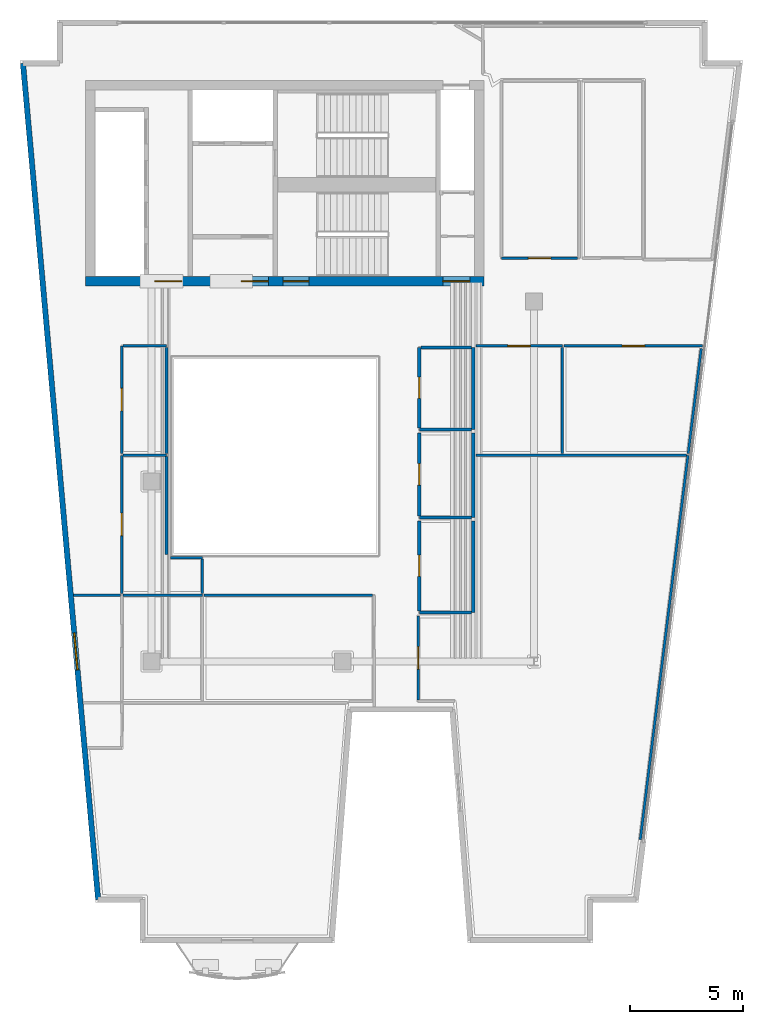
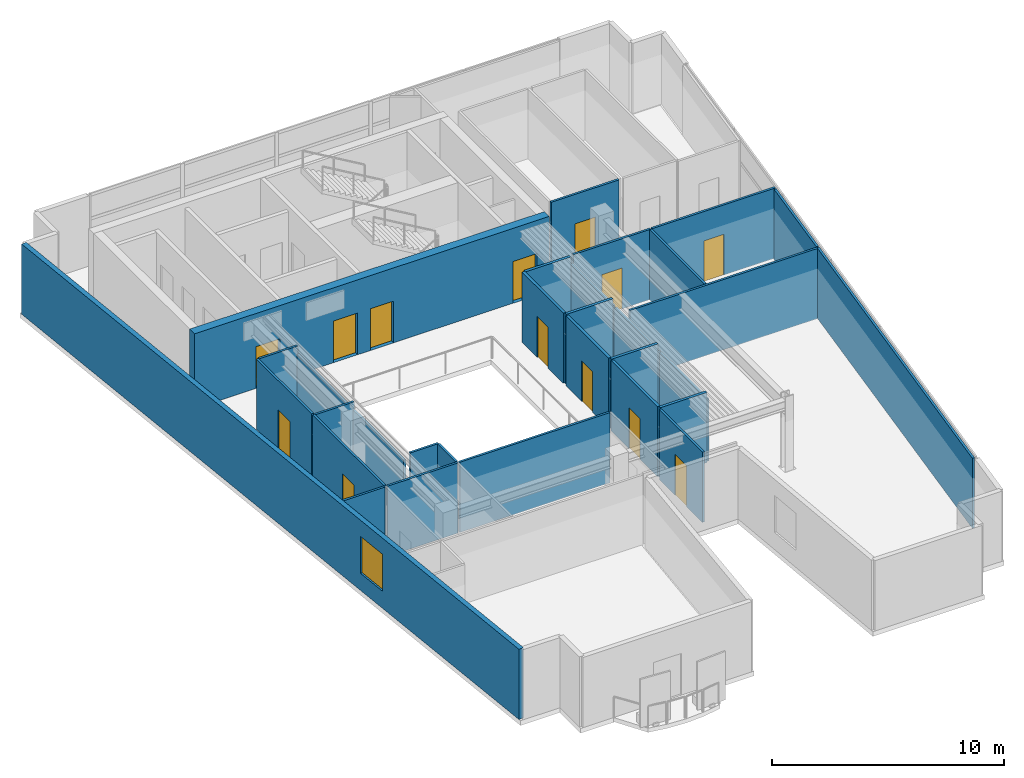
# One storey, part 4 of 8: 31 walls, 13 doors, 1 window, 14 openings.
"""IFC4 building model written with IfcOpenShell, lengths in metres."""

from ifc_helpers import new_model, si_unit, direction, frame, frame_2d, origin, place, context, subcontext, project, spatial, rectangle, extrude, material, layer, layer_set, type_object, element, fill, save


model = new_model("IFC4")

# Units and contexts
model_context = context("Model", 3, precision=1e-05, world=origin(), true_north=direction((0.0, 1.0)))
body_context = subcontext(model_context, "Body", "Model", "MODEL_VIEW")
ifc_project = project(units=[si_unit("LENGTHUNIT", "METRE"), si_unit("AREAUNIT", "SQUARE_METRE"), si_unit("VOLUMEUNIT", "CUBIC_METRE"), si_unit("PLANEANGLEUNIT", "RADIAN"), si_unit("MASSUNIT", "GRAM", prefix="KILO")], contexts=[model_context])

# Site, building, storey
site_placement = place(None, origin())
site = spatial("IfcSite", under=ifc_project, at=site_placement, CompositionType="ELEMENT")
building_placement = place(site_placement, origin())
building = spatial("IfcBuilding", under=site, at=building_placement, Name="Caeloran Harvest Quay", CompositionType="ELEMENT")
storey_placement = place(building_placement, frame((0.0, 0.0, 272.5)))
storey = spatial("IfcBuildingStorey", under=building, at=storey_placement, Name="L65", CompositionType="ELEMENT", Elevation=272.5)

# Wall, opening, window
ifc_material_1 = material(Name="Precast concrete C50/60", Category="concrete")
ifc_layer_1 = layer(ifc_material_1, 0.239990234375, Name="Precast concrete C50/60")
ifc_layer_set_1 = layer_set([ifc_layer_1], Name="Precast concrete C50/60")
wall_type_1 = type_object("IfcWallType", Name="ENV-WALL-EW-240", PredefinedType="STANDARD", material=ifc_layer_set_1)
wall_1_placement = place(storey_placement, frame((6.13330078125, 4.419921875, 0.0), z_axis=(0.0, 0.0, 1.0), x_axis=(-0.089522678378, 0.995984784048, 0.0)))
wall_1 = element("IfcWall", 1, at=wall_1_placement, inside=storey, type_object=wall_type_1, Name="L65 Exterior Precast Concrete Facade Wall 3", PredefinedType="STANDARD", context=body_context, shape_type="SweptSolid", body=[
    extrude(rectangle(XDim=37.31005859375, YDim=0.239990234375, at=frame_2d((18.655029296875, 0.0))), origin(), (0.0, 0.0, 1.0), 3.699951171875),
])
opening_1_placement = place(wall_1_placement, frame((10.24560546875, 0.0, 0.89990234375)))
opening_1 = element("IfcOpeningElement", 2, at=opening_1_placement, cuts=wall_1, Name="Opening W-08", PredefinedType="OPENING", context=body_context, shape_type="SweptSolid", body=[
    extrude(rectangle(XDim=1.64990234375, YDim=1.949951171875, at=frame_2d((0.824951171875, 0.97509765625))), frame((0.0, 0.1298828125, 0.0), z_axis=(0.0, -1.0, 0.0), x_axis=(1.0, 0.0, 0.0)), (0.0, 0.0, 1.0), 0.260009765625),
])
ifc_material_2 = material(Name="Aluminium-Framed Low-E Laminated Glass", Category="aluminium")
window_type = type_object("IfcWindowType", Name="WIN-W-08", PartitioningType="SINGLE_PANEL", PredefinedType="WINDOW", material=ifc_material_2)
window_placement = place(opening_1_placement, origin())
window = element("IfcWindow", 3, at=window_placement, inside=storey, type_object=window_type, Name="L65 Facade Punched Window W-08", OverallHeight=1.949951171875, OverallWidth=1.64990234375, PartitioningType="SINGLE_PANEL", PredefinedType="WINDOW", context=body_context, shape_type="SweptSolid", body=[
    extrude(rectangle(XDim=1.64990234375, YDim=1.949951171875, at=frame_2d((0.824951171875, 0.97509765625))), frame((0.0, 0.030029296875, 0.0), z_axis=(0.0, -1.0, 0.0), x_axis=(1.0, 0.0, 0.0)), (0.0, 0.0, 1.0), 0.06005859375),
])
fill(opening_1, window)

# Wall, opening, door
ifc_material_3 = material(Name="Single-Stud Acoustic Gypsum Office Partition", Category="gypsum")
ifc_layer_2 = layer(ifc_material_3, 0.112060546875, Name="Single-Stud Acoustic Gypsum Office Partition")
ifc_layer_set_2 = layer_set([ifc_layer_2], Name="Single-Stud Acoustic Gypsum Office Partition")
wall_type_2 = type_object("IfcWallType", Name="INT-WALL-PW-112", PredefinedType="PARTITIONING", material=ifc_layer_set_2)
wall_2_placement = place(storey_placement, frame((27.43896484375, 32.919921875, 0.0), z_axis=(0.0, 0.0, 1.0), x_axis=(-1.0, 0.0, 0.0)))
wall_2 = element("IfcWall", 4, at=wall_2_placement, inside=storey, type_object=wall_type_2, Name="L65 Bioinformatics Briefing Lounge Partition Wall", PredefinedType="PARTITIONING", context=body_context, shape_type="SweptSolid", body=[
    extrude(rectangle(XDim=3.388916015625, YDim=0.112060546875, at=frame_2d((1.6943359375, 0.0))), origin(), (0.0, 0.0, 1.0), 3.699951171875),
])
opening_2_placement = place(wall_2_placement, frame((1.194580078125, 0.0, 0.0)))
opening_2 = element("IfcOpeningElement", 5, at=opening_2_placement, cuts=wall_2, Name="Opening ID-01", PredefinedType="OPENING", context=body_context, shape_type="SweptSolid", body=[
    extrude(rectangle(XDim=1.0, YDim=2.14990234375, at=frame_2d((0.5, 1.074951171875))), frame((0.0, 0.06591796875, 0.0), z_axis=(0.0, -1.0, 0.0), x_axis=(1.0, 0.0, 0.0)), (0.0, 0.0, 1.0), 0.132080078125),
])
ifc_material_4 = material(Name="FSC Solid-Core Ash Timber and Acoustic Seal", Category="wood")
door_type_1 = type_object("IfcDoorType", Name="INTDOOR-ID-01", OperationType="NOTDEFINED", PredefinedType="DOOR", material=ifc_material_4)
door_1_placement = place(opening_2_placement, origin())
door_1 = element("IfcDoor", 6, at=door_1_placement, inside=storey, type_object=door_type_1, Name="L65 Bioinformatics Briefing Lounge Access Door", OperationType="SINGLE_SWING_LEFT", OverallHeight=2.14990234375, OverallWidth=1.0, PredefinedType="DOOR", context=body_context, shape_type="SweptSolid", body=[
    extrude(rectangle(XDim=1.0, YDim=2.14990234375, at=frame_2d((0.5, 1.074951171875))), frame((0.0, 0.02490234375, 0.0), z_axis=(0.0, -1.0, 0.0), x_axis=(1.0, 0.0, 0.0)), (0.0, 0.0, 1.0), 0.050048828125),
])
fill(opening_2, door_1)

# Wall
wall_3_placement = place(storey_placement, frame((32.3369140625, 24.159912109375, 0.0), z_axis=(0.0, 0.0, 1.0), x_axis=(-0.123182617282, -0.992384019823, 0.0)))
element("IfcWall", 7, at=wall_3_placement, inside=storey, type_object=wall_type_2, Name="International Policy Conference Room Partition Wall", PredefinedType="PARTITIONING", context=body_context, shape_type="SweptSolid", body=[
    extrude(rectangle(XDim=17.209228515625, YDim=0.112060546875, at=frame_2d((8.6044921875, 0.0))), origin(), (0.0, 0.0, 1.0), 3.699951171875),
])

# Wall, opening, door
wall_4_placement = place(storey_placement, frame((20.35009765625, 13.301025390625, 0.0), z_axis=(0.0, 0.0, 1.0), x_axis=(0.0, 1.0, 0.0)))
wall_4 = element("IfcWall", 8, at=wall_4_placement, inside=storey, type_object=wall_type_2, Name="International Policy Conference Room Partition Wall", PredefinedType="PARTITIONING", context=body_context, shape_type="SweptSolid", body=[
    extrude(rectangle(XDim=3.718994140625, YDim=0.112060546875, at=frame_2d((1.859375, 0.0))), origin(), (0.0, 0.0, 1.0), 3.699951171875),
])
opening_3_placement = place(wall_4_placement, frame((1.359619140625, 0.0, 0.0)))
opening_3 = element("IfcOpeningElement", 9, at=opening_3_placement, cuts=wall_4, Name="Opening ID-01", PredefinedType="OPENING", context=body_context, shape_type="SweptSolid", body=[
    extrude(rectangle(XDim=1.0, YDim=2.14990234375, at=frame_2d((0.5, 1.074951171875))), frame((0.0, 0.06591796875, 0.0), z_axis=(0.0, -1.0, 0.0), x_axis=(1.0, 0.0, 0.0)), (0.0, 0.0, 1.0), 0.132080078125),
])
door_2_placement = place(opening_3_placement, origin())
door_2 = element("IfcDoor", 10, at=door_2_placement, inside=storey, type_object=door_type_1, Name="International Policy Conference Room Access Door", OperationType="SINGLE_SWING_LEFT", OverallHeight=2.14990234375, OverallWidth=1.0, PredefinedType="DOOR", context=body_context, shape_type="SweptSolid", body=[
    extrude(rectangle(XDim=1.0, YDim=2.14990234375, at=frame_2d((0.5, 1.074951171875))), frame((0.0, 0.02490234375, 0.0), z_axis=(0.0, -1.0, 0.0), x_axis=(1.0, 0.0, 0.0)), (0.0, 0.0, 1.0), 0.050048828125),
])
fill(opening_3, door_2)

# Walls
wall_5_placement = place(storey_placement, frame((22.909912109375, 24.159912109375, 0.0), z_axis=(0.0, 0.0, 1.0), x_axis=(1.0, 0.0, 0.0)))
element("IfcWall", 11, at=wall_5_placement, inside=storey, type_object=wall_type_2, Name="International Policy Conference Room Partition Wall", PredefinedType="PARTITIONING", context=body_context, shape_type="SweptSolid", body=[
    extrude(rectangle(XDim=9.365478515625, YDim=0.112060546875, at=frame_2d((4.6826171875, 0.0))), origin(), (0.0, 0.0, 1.0), 3.699951171875),
])
wall_6_placement = place(storey_placement, frame((5.043701171875, 17.93994140625, 0.0), z_axis=(0.0, 0.0, 1.0), x_axis=(1.0, 0.0, 0.0)))
element("IfcWall", 12, at=wall_6_placement, inside=storey, type_object=wall_type_2, Name="Translation Briefing Room Partition Wall", PredefinedType="PARTITIONING", context=body_context, shape_type="SweptSolid", body=[
    extrude(rectangle(XDim=2.0751953125, YDim=0.112060546875, at=frame_2d((1.03759765625, 0.0))), origin(), (0.0, 0.0, 1.0), 3.699951171875),
])
wall_7_placement = place(storey_placement, frame((7.240966796875, 17.93994140625, 0.0), z_axis=(0.0, 0.0, 1.0), x_axis=(1.0, 0.0, 0.0)))
element("IfcWall", 13, at=wall_7_placement, inside=storey, type_object=wall_type_2, Name="Translation Briefing Room Partition Wall", PredefinedType="PARTITIONING", context=body_context, shape_type="SweptSolid", body=[
    extrude(rectangle(XDim=3.51904296875, YDim=0.112060546875, at=frame_2d((1.759521484375, 0.0))), origin(), (0.0, 0.0, 1.0), 3.699951171875),
])
wall_8_placement = place(storey_placement, frame((10.840087890625, 17.93994140625, 0.0), z_axis=(0.0, 0.0, 1.0), x_axis=(1.0, 0.0, 0.0)))
element("IfcWall", 14, at=wall_8_placement, inside=storey, type_object=wall_type_2, Name="Treaty Archive Library Room Partition Wall", PredefinedType="PARTITIONING", context=body_context, shape_type="SweptSolid", body=[
    extrude(rectangle(XDim=7.489013671875, YDim=0.112060546875, at=frame_2d((3.74462890625, 0.0))), origin(), (0.0, 0.0, 1.0), 3.699951171875),
])
wall_9_placement = place(storey_placement, frame((9.35009765625, 19.6201171875, 0.0), z_axis=(0.0, 0.0, 1.0), x_axis=(1.0, 0.0, 0.0)))
element("IfcWall", 15, at=wall_9_placement, inside=storey, type_object=wall_type_2, Name="Delegation Dining Kitchen Partition Wall", PredefinedType="PARTITIONING", context=body_context, shape_type="SweptSolid", body=[
    extrude(rectangle(XDim=1.409912109375, YDim=0.112060546875, at=frame_2d((0.705078125, 0.0))), origin(), (0.0, 0.0, 1.0), 3.699951171875),
])
wall_10_placement = place(storey_placement, frame((10.760009765625, 19.55908203125, 0.0), z_axis=(0.0, 0.0, 1.0), x_axis=(0.0, -1.0, 0.0)))
element("IfcWall", 16, at=wall_10_placement, inside=storey, type_object=wall_type_2, Name="Delegation Dining Kitchen Partition Wall", PredefinedType="PARTITIONING", context=body_context, shape_type="SweptSolid", body=[
    extrude(rectangle(XDim=1.5390625, YDim=0.112060546875, at=frame_2d((0.76953125, 0.0))), origin(), (0.0, 0.0, 1.0), 3.699951171875),
])

# Wall, opening, door
wall_11_placement = place(storey_placement, frame((7.179931640625, 18.02001953125, 0.0), z_axis=(0.0, 0.0, 1.0), x_axis=(0.0, 1.0, 0.0)))
wall_11 = element("IfcWall", 17, at=wall_11_placement, inside=storey, type_object=wall_type_2, Name="Delegation Dining Kitchen Partition Wall", PredefinedType="PARTITIONING", context=body_context, shape_type="SweptSolid", body=[
    extrude(rectangle(XDim=6.139892578125, YDim=0.112060546875, at=frame_2d((3.06982421875, 0.0))), origin(), (0.0, 0.0, 1.0), 3.699951171875),
])
opening_4_placement = place(wall_11_placement, frame((2.570068359375, 0.0, 0.0)))
opening_4 = element("IfcOpeningElement", 18, at=opening_4_placement, cuts=wall_11, Name="Opening ID-01", PredefinedType="OPENING", context=body_context, shape_type="SweptSolid", body=[
    extrude(rectangle(XDim=1.0, YDim=2.14990234375, at=frame_2d((0.5, 1.074951171875))), frame((0.0, 0.06591796875, 0.0), z_axis=(0.0, -1.0, 0.0), x_axis=(1.0, 0.0, 0.0)), (0.0, 0.0, 1.0), 0.132080078125),
])
door_3_placement = place(opening_4_placement, origin())
door_3 = element("IfcDoor", 19, at=door_3_placement, inside=storey, type_object=door_type_1, Name="Delegation Dining Kitchen Access Door", OperationType="SINGLE_SWING_LEFT", OverallHeight=2.14990234375, OverallWidth=1.0, PredefinedType="DOOR", context=body_context, shape_type="SweptSolid", body=[
    extrude(rectangle(XDim=1.0, YDim=2.14990234375, at=frame_2d((0.5, 1.074951171875))), frame((0.0, 0.02490234375, 0.0), z_axis=(0.0, -1.0, 0.0), x_axis=(1.0, 0.0, 0.0)), (0.0, 0.0, 1.0), 0.050048828125),
])
fill(opening_4, door_3)

# Walls
wall_12_placement = place(storey_placement, frame((7.240966796875, 24.159912109375, 0.0), z_axis=(0.0, 0.0, 1.0), x_axis=(1.0, 0.0, 0.0)))
element("IfcWall", 20, at=wall_12_placement, inside=storey, type_object=wall_type_2, Name="Delegation Dining Kitchen Partition Wall", PredefinedType="PARTITIONING", context=body_context, shape_type="SweptSolid", body=[
    extrude(rectangle(XDim=1.928955078125, YDim=0.112060546875, at=frame_2d((0.96435546875, 0.0))), origin(), (0.0, 0.0, 1.0), 3.699951171875),
])
wall_13_placement = place(storey_placement, frame((9.169921875, 24.09912109375, 0.0), z_axis=(0.0, 0.0, 1.0), x_axis=(0.0, -1.0, 0.0)))
element("IfcWall", 21, at=wall_13_placement, inside=storey, type_object=wall_type_2, Name="Delegation Dining Kitchen Partition Wall", PredefinedType="PARTITIONING", context=body_context, shape_type="SweptSolid", body=[
    extrude(rectangle(XDim=4.34912109375, YDim=0.112060546875, at=frame_2d((2.174560546875, 0.0))), origin(), (0.0, 0.0, 1.0), 3.284912109375),
])

# Wall, opening, door
wall_14_placement = place(storey_placement, frame((7.179931640625, 24.239990234375, 0.0), z_axis=(0.0, 0.0, 1.0), x_axis=(0.0, 1.0, 0.0)))
wall_14 = element("IfcWall", 22, at=wall_14_placement, inside=storey, type_object=wall_type_2, Name="Diplomatic Catering Kitchen Partition Wall", PredefinedType="PARTITIONING", context=body_context, shape_type="SweptSolid", body=[
    extrude(rectangle(XDim=4.780029296875, YDim=0.112060546875, at=frame_2d((2.39013671875, 0.0))), origin(), (0.0, 0.0, 1.0), 3.699951171875),
])
opening_5_placement = place(wall_14_placement, frame((1.889892578125, 0.0, 0.0)))
opening_5 = element("IfcOpeningElement", 23, at=opening_5_placement, cuts=wall_14, Name="Opening ID-01", PredefinedType="OPENING", context=body_context, shape_type="SweptSolid", body=[
    extrude(rectangle(XDim=1.0, YDim=2.14990234375, at=frame_2d((0.5, 1.074951171875))), frame((0.0, 0.06591796875, 0.0), z_axis=(0.0, -1.0, 0.0), x_axis=(1.0, 0.0, 0.0)), (0.0, 0.0, 1.0), 0.132080078125),
])
door_4_placement = place(opening_5_placement, origin())
door_4 = element("IfcDoor", 24, at=door_4_placement, inside=storey, type_object=door_type_1, Name="Diplomatic Catering Kitchen Access Door", OperationType="SINGLE_SWING_RIGHT", OverallHeight=2.14990234375, OverallWidth=1.0, PredefinedType="DOOR", context=body_context, shape_type="SweptSolid", body=[
    extrude(rectangle(XDim=1.0, YDim=2.14990234375, at=frame_2d((0.5, 1.074951171875))), frame((0.0, 0.02490234375, 0.0), z_axis=(0.0, -1.0, 0.0), x_axis=(1.0, 0.0, 0.0)), (0.0, 0.0, 1.0), 0.050048828125),
])
fill(opening_5, door_4)

# Walls
wall_15_placement = place(storey_placement, frame((7.240966796875, 29.02001953125, 0.0), z_axis=(0.0, 0.0, 1.0), x_axis=(1.0, 0.0, 0.0)))
element("IfcWall", 25, at=wall_15_placement, inside=storey, type_object=wall_type_2, Name="Diplomatic Catering Kitchen Partition Wall", PredefinedType="PARTITIONING", context=body_context, shape_type="SweptSolid", body=[
    extrude(rectangle(XDim=1.928955078125, YDim=0.112060546875, at=frame_2d((0.96435546875, 0.0))), origin(), (0.0, 0.0, 1.0), 3.699951171875),
])
wall_16_placement = place(storey_placement, frame((9.169921875, 28.958984375, 0.0), z_axis=(0.0, 0.0, 1.0), x_axis=(0.0, -1.0, 0.0)))
element("IfcWall", 26, at=wall_16_placement, inside=storey, type_object=wall_type_2, Name="Diplomatic Catering Kitchen Partition Wall", PredefinedType="PARTITIONING", context=body_context, shape_type="SweptSolid", body=[
    extrude(rectangle(XDim=4.718994140625, YDim=0.112060546875, at=frame_2d((2.359375, 0.0))), origin(), (0.0, 0.0, 1.0), 3.284912109375),
])

# Wall, opening, door
wall_17_placement = place(storey_placement, frame((22.909912109375, 29.02001953125, 0.0), z_axis=(0.0, 0.0, 1.0), x_axis=(1.0, 0.0, 0.0)))
wall_17 = element("IfcWall", 27, at=wall_17_placement, inside=storey, type_object=wall_type_2, Name="Embassy Wellness Lounge Partition Wall", PredefinedType="PARTITIONING", context=body_context, shape_type="SweptSolid", body=[
    extrude(rectangle(XDim=3.85009765625, YDim=0.112060546875, at=frame_2d((1.925048828125, 0.0))), origin(), (0.0, 0.0, 1.0), 3.699951171875),
])
opening_6_placement = place(wall_17_placement, frame((1.425048828125, 0.0, 0.0)))
opening_6 = element("IfcOpeningElement", 28, at=opening_6_placement, cuts=wall_17, Name="Opening ID-01", PredefinedType="OPENING", context=body_context, shape_type="SweptSolid", body=[
    extrude(rectangle(XDim=1.0, YDim=2.14990234375, at=frame_2d((0.5, 1.074951171875))), frame((0.0, 0.06591796875, 0.0), z_axis=(0.0, -1.0, 0.0), x_axis=(1.0, 0.0, 0.0)), (0.0, 0.0, 1.0), 0.132080078125),
])
door_5_placement = place(opening_6_placement, origin())
door_5 = element("IfcDoor", 29, at=door_5_placement, inside=storey, type_object=door_type_1, Name="Embassy Wellness Lounge Access Door", OperationType="SINGLE_SWING_LEFT", OverallHeight=2.14990234375, OverallWidth=1.0, PredefinedType="DOOR", context=body_context, shape_type="SweptSolid", body=[
    extrude(rectangle(XDim=1.0, YDim=2.14990234375, at=frame_2d((0.5, 1.074951171875))), frame((0.0, 0.02490234375, 0.0), z_axis=(0.0, -1.0, 0.0), x_axis=(1.0, 0.0, 0.0)), (0.0, 0.0, 1.0), 0.050048828125),
])
fill(opening_6, door_5)

# Wall
wall_18_placement = place(storey_placement, frame((26.760009765625, 28.958984375, 0.0), z_axis=(0.0, 0.0, 1.0), x_axis=(0.0, -1.0, 0.0)))
element("IfcWall", 30, at=wall_18_placement, inside=storey, type_object=wall_type_2, Name="Embassy Wellness Lounge Partition Wall", PredefinedType="PARTITIONING", context=body_context, shape_type="SweptSolid", body=[
    extrude(rectangle(XDim=4.718994140625, YDim=0.112060546875, at=frame_2d((2.359375, 0.0))), origin(), (0.0, 0.0, 1.0), 3.699951171875),
])

# Wall, opening, door
wall_19_placement = place(storey_placement, frame((26.840087890625, 29.02001953125, 0.0), z_axis=(0.0, 0.0, 1.0), x_axis=(1.0, 0.0, 0.0)))
wall_19 = element("IfcWall", 31, at=wall_19_placement, inside=storey, type_object=wall_type_2, Name="Climate Diplomacy Seminar Hall 8 Partition Wall", PredefinedType="PARTITIONING", context=body_context, shape_type="SweptSolid", body=[
    extrude(rectangle(XDim=6.1357421875, YDim=0.112060546875, at=frame_2d((3.06787109375, 0.0))), origin(), (0.0, 0.0, 1.0), 3.699951171875),
])
opening_7_placement = place(wall_19_placement, frame((2.56787109375, 0.0, 0.0)))
opening_7 = element("IfcOpeningElement", 32, at=opening_7_placement, cuts=wall_19, Name="Opening ID-01", PredefinedType="OPENING", context=body_context, shape_type="SweptSolid", body=[
    extrude(rectangle(XDim=1.0, YDim=2.14990234375, at=frame_2d((0.5, 1.074951171875))), frame((0.0, 0.06591796875, 0.0), z_axis=(0.0, -1.0, 0.0), x_axis=(1.0, 0.0, 0.0)), (0.0, 0.0, 1.0), 0.132080078125),
])
door_6_placement = place(opening_7_placement, origin())
door_6 = element("IfcDoor", 33, at=door_6_placement, inside=storey, type_object=door_type_1, Name="Climate Diplomacy Seminar Hall 8 Access Door", OperationType="SINGLE_SWING_RIGHT", OverallHeight=2.14990234375, OverallWidth=1.0, PredefinedType="DOOR", context=body_context, shape_type="SweptSolid", body=[
    extrude(rectangle(XDim=1.0, YDim=2.14990234375, at=frame_2d((0.5, 1.074951171875))), frame((0.0, 0.02490234375, 0.0), z_axis=(0.0, -1.0, 0.0), x_axis=(1.0, 0.0, 0.0)), (0.0, 0.0, 1.0), 0.050048828125),
])
fill(opening_7, door_6)

# Walls
wall_20_placement = place(storey_placement, frame((32.926025390625, 28.89990234375, 0.0), z_axis=(0.0, 0.0, 1.0), x_axis=(-0.123324415608, -0.992366408397, 0.0)))
element("IfcWall", 34, at=wall_20_placement, inside=storey, type_object=wall_type_2, Name="Climate Diplomacy Seminar Hall 8 Partition Wall", PredefinedType="PARTITIONING", context=body_context, shape_type="SweptSolid", body=[
    extrude(rectangle(XDim=4.69580078125, YDim=0.112060546875, at=frame_2d((2.347900390625, 0.0))), origin(), (0.0, 0.0, 1.0), 3.699951171875),
])
ifc_material_5 = material(Name="Moisture-Resistant Cement-Board Sanitary Partition", Category="gypsum")
ifc_layer_3 = layer(ifc_material_5, 0.139892578125, Name="Moisture-Resistant Cement-Board Sanitary Partition")
ifc_layer_set_3 = layer_set([ifc_layer_3], Name="Moisture-Resistant Cement-Board Sanitary Partition")
wall_type_3 = type_object("IfcWallType", Name="INT-WALL-PW-140", PredefinedType="PARTITIONING", material=ifc_layer_set_3)
wall_21_placement = place(storey_placement, frame((22.800048828125, 28.949951171875, 0.0), z_axis=(0.0, 0.0, 1.0), x_axis=(0.0, -1.0, 0.0)))
element("IfcWall", 35, at=wall_21_placement, inside=storey, type_object=wall_type_3, Name="L65 Male Washroom WC Partition Wall", PredefinedType="PARTITIONING", context=body_context, shape_type="SweptSolid", body=[
    extrude(rectangle(XDim=3.64990234375, YDim=0.139892578125, at=frame_2d((1.824951171875, 0.0))), origin(), (0.0, 0.0, 1.0), 3.284912109375),
])
wall_22_placement = place(storey_placement, frame((22.72509765625, 25.300048828125, 0.0), z_axis=(0.0, 0.0, 1.0), x_axis=(-1.0, 0.0, 0.0)))
element("IfcWall", 36, at=wall_22_placement, inside=storey, type_object=wall_type_3, Name="L65 Male Washroom WC Partition Wall", PredefinedType="PARTITIONING", context=body_context, shape_type="SweptSolid", body=[
    extrude(rectangle(XDim=2.3251953125, YDim=0.139892578125, at=frame_2d((1.16259765625, 0.0))), origin(), (0.0, 0.0, 1.0), 3.699951171875),
])

# Wall, opening, door
wall_23_placement = place(storey_placement, frame((20.39990234375, 25.375, 0.0), z_axis=(0.0, 0.0, 1.0), x_axis=(0.0, 1.0, 0.0)))
wall_23 = element("IfcWall", 37, at=wall_23_placement, inside=storey, type_object=wall_type_3, Name="L65 Male Washroom WC Partition Wall", PredefinedType="PARTITIONING", context=body_context, shape_type="SweptSolid", body=[
    extrude(rectangle(XDim=3.574951171875, YDim=0.139892578125, at=frame_2d((1.78759765625, 0.0))), origin(), (0.0, 0.0, 1.0), 3.699951171875),
])
opening_8_placement = place(wall_23_placement, frame((1.3125, 0.0, 0.0)))
opening_8 = element("IfcOpeningElement", 38, at=opening_8_placement, cuts=wall_23, Name="Opening WC-01", PredefinedType="OPENING", context=body_context, shape_type="SweptSolid", body=[
    extrude(rectangle(XDim=0.949951171875, YDim=2.14990234375, at=frame_2d((0.47509765625, 1.074951171875))), frame((0.0, 0.080078125, 0.0), z_axis=(0.0, -1.0, 0.0), x_axis=(1.0, 0.0, 0.0)), (0.0, 0.0, 1.0), 0.159912109375),
])
ifc_material_6 = material(Name="High-Pressure Laminate Moisture-Resistant Timber", Category="wood")
door_type_2 = type_object("IfcDoorType", Name="INTDOOR-WC-01", OperationType="NOTDEFINED", PredefinedType="DOOR", material=ifc_material_6)
door_7_placement = place(opening_8_placement, origin())
door_7 = element("IfcDoor", 39, at=door_7_placement, inside=storey, type_object=door_type_2, Name="L65 Male Washroom WC Access Door", OperationType="SINGLE_SWING_LEFT", OverallHeight=2.14990234375, OverallWidth=0.949951171875, PredefinedType="DOOR", context=body_context, shape_type="SweptSolid", body=[
    extrude(rectangle(XDim=0.949951171875, YDim=2.14990234375, at=frame_2d((0.47509765625, 1.074951171875))), frame((0.0, 0.02490234375, 0.0), z_axis=(0.0, -1.0, 0.0), x_axis=(1.0, 0.0, 0.0)), (0.0, 0.0, 1.0), 0.050048828125),
])
fill(opening_8, door_7)

# Walls
wall_24_placement = place(storey_placement, frame((20.47509765625, 28.949951171875, 0.0), z_axis=(0.0, 0.0, 1.0), x_axis=(1.0, 0.0, 0.0)))
element("IfcWall", 40, at=wall_24_placement, inside=storey, type_object=wall_type_3, Name="L65 Male Washroom WC Partition Wall", PredefinedType="PARTITIONING", context=body_context, shape_type="SweptSolid", body=[
    extrude(rectangle(XDim=2.25, YDim=0.139892578125, at=frame_2d((1.125, 0.0))), origin(), (0.0, 0.0, 1.0), 3.699951171875),
])
wall_25_placement = place(storey_placement, frame((22.800048828125, 25.14990234375, 0.0), z_axis=(0.0, 0.0, 1.0), x_axis=(0.0, -1.0, 0.0)))
element("IfcWall", 41, at=wall_25_placement, inside=storey, type_object=wall_type_3, Name="L65 Female Washroom WC Partition Wall", PredefinedType="PARTITIONING", context=body_context, shape_type="SweptSolid", body=[
    extrude(rectangle(XDim=3.75, YDim=0.139892578125, at=frame_2d((1.875, 0.0))), origin(), (0.0, 0.0, 1.0), 3.284912109375),
])
wall_26_placement = place(storey_placement, frame((22.72509765625, 21.39990234375, 0.0), z_axis=(0.0, 0.0, 1.0), x_axis=(-1.0, 0.0, 0.0)))
element("IfcWall", 42, at=wall_26_placement, inside=storey, type_object=wall_type_3, Name="L65 Female Washroom WC Partition Wall", PredefinedType="PARTITIONING", context=body_context, shape_type="SweptSolid", body=[
    extrude(rectangle(XDim=2.3251953125, YDim=0.139892578125, at=frame_2d((1.16259765625, 0.0))), origin(), (0.0, 0.0, 1.0), 3.699951171875),
])

# Wall, opening, door
wall_27_placement = place(storey_placement, frame((20.39990234375, 21.47509765625, 0.0), z_axis=(0.0, 0.0, 1.0), x_axis=(0.0, 1.0, 0.0)))
wall_27 = element("IfcWall", 43, at=wall_27_placement, inside=storey, type_object=wall_type_3, Name="L65 Female Washroom WC Partition Wall", PredefinedType="PARTITIONING", context=body_context, shape_type="SweptSolid", body=[
    extrude(rectangle(XDim=3.6748046875, YDim=0.139892578125, at=frame_2d((1.83740234375, 0.0))), origin(), (0.0, 0.0, 1.0), 3.699951171875),
])
opening_9_placement = place(wall_27_placement, frame((1.362548828125, 0.0, 0.0)))
opening_9 = element("IfcOpeningElement", 44, at=opening_9_placement, cuts=wall_27, Name="Opening WC-01", PredefinedType="OPENING", context=body_context, shape_type="SweptSolid", body=[
    extrude(rectangle(XDim=0.949951171875, YDim=2.14990234375, at=frame_2d((0.47509765625, 1.074951171875))), frame((0.0, 0.080078125, 0.0), z_axis=(0.0, -1.0, 0.0), x_axis=(1.0, 0.0, 0.0)), (0.0, 0.0, 1.0), 0.159912109375),
])
door_8_placement = place(opening_9_placement, origin())
door_8 = element("IfcDoor", 45, at=door_8_placement, inside=storey, type_object=door_type_2, Name="L65 Female Washroom WC Access Door", OperationType="SINGLE_SWING_RIGHT", OverallHeight=2.14990234375, OverallWidth=0.949951171875, PredefinedType="DOOR", context=body_context, shape_type="SweptSolid", body=[
    extrude(rectangle(XDim=0.949951171875, YDim=2.14990234375, at=frame_2d((0.47509765625, 1.074951171875))), frame((0.0, 0.02490234375, 0.0), z_axis=(0.0, -1.0, 0.0), x_axis=(1.0, 0.0, 0.0)), (0.0, 0.0, 1.0), 0.050048828125),
])
fill(opening_9, door_8)

# Walls
wall_28_placement = place(storey_placement, frame((22.800048828125, 21.25, 0.0), z_axis=(0.0, 0.0, 1.0), x_axis=(0.0, -1.0, 0.0)))
element("IfcWall", 46, at=wall_28_placement, inside=storey, type_object=wall_type_3, Name="L65 Accessible Unisex Washroom WC Partition Wall", PredefinedType="PARTITIONING", context=body_context, shape_type="SweptSolid", body=[
    extrude(rectangle(XDim=4.070068359375, YDim=0.139892578125, at=frame_2d((2.03515625, 0.0))), origin(), (0.0, 0.0, 1.0), 3.284912109375),
])
wall_29_placement = place(storey_placement, frame((22.72509765625, 17.179931640625, 0.0), z_axis=(0.0, 0.0, 1.0), x_axis=(-1.0, 0.0, 0.0)))
element("IfcWall", 47, at=wall_29_placement, inside=storey, type_object=wall_type_3, Name="L65 Accessible Unisex Washroom WC Partition Wall", PredefinedType="PARTITIONING", context=body_context, shape_type="SweptSolid", body=[
    extrude(rectangle(XDim=2.3251953125, YDim=0.139892578125, at=frame_2d((1.16259765625, 0.0))), origin(), (0.0, 0.0, 1.0), 3.699951171875),
])

# Wall, opening, door
wall_30_placement = place(storey_placement, frame((20.39990234375, 17.2548828125, 0.0), z_axis=(0.0, 0.0, 1.0), x_axis=(0.0, 1.0, 0.0)))
wall_30 = element("IfcWall", 48, at=wall_30_placement, inside=storey, type_object=wall_type_3, Name="L65 Accessible Unisex Washroom WC Partition Wall", PredefinedType="PARTITIONING", context=body_context, shape_type="SweptSolid", body=[
    extrude(rectangle(XDim=3.9951171875, YDim=0.139892578125, at=frame_2d((1.99755859375, 0.0))), origin(), (0.0, 0.0, 1.0), 3.699951171875),
])
opening_10_placement = place(wall_30_placement, frame((1.5224609375, 0.0, 0.0)))
opening_10 = element("IfcOpeningElement", 49, at=opening_10_placement, cuts=wall_30, Name="Opening WC-01", PredefinedType="OPENING", context=body_context, shape_type="SweptSolid", body=[
    extrude(rectangle(XDim=0.949951171875, YDim=2.14990234375, at=frame_2d((0.47509765625, 1.074951171875))), frame((0.0, 0.080078125, 0.0), z_axis=(0.0, -1.0, 0.0), x_axis=(1.0, 0.0, 0.0)), (0.0, 0.0, 1.0), 0.159912109375),
])
door_9_placement = place(opening_10_placement, origin())
door_9 = element("IfcDoor", 50, at=door_9_placement, inside=storey, type_object=door_type_2, Name="L65 Accessible Unisex Washroom WC Access Door", OperationType="SINGLE_SWING_LEFT", OverallHeight=2.14990234375, OverallWidth=0.949951171875, PredefinedType="DOOR", context=body_context, shape_type="SweptSolid", body=[
    extrude(rectangle(XDim=0.949951171875, YDim=2.14990234375, at=frame_2d((0.47509765625, 1.074951171875))), frame((0.0, 0.02490234375, 0.0), z_axis=(0.0, -1.0, 0.0), x_axis=(1.0, 0.0, 0.0)), (0.0, 0.0, 1.0), 0.050048828125),
])
fill(opening_10, door_9)

# Wall, openings, doors
ifc_material_7 = material(Name="Concrete C60/75", Category="concrete")
ifc_layer_4 = layer(ifc_material_7, 0.419921875, Name="Concrete C60/75")
ifc_layer_set_4 = layer_set([ifc_layer_4], Name="Concrete C60/75")
wall_type_4 = type_object("IfcWallType", Name="STR-WALL-CW-420", PredefinedType="SHEAR", material=ifc_layer_set_4)
wall_31_placement = place(storey_placement, frame((5.580078125, 31.889892578125, 0.0), z_axis=(0.0, 0.0, 1.0), x_axis=(1.0, 0.0, 0.0)))
wall_31 = element("IfcWall", 51, at=wall_31_placement, inside=storey, type_object=wall_type_4, Name="L65 Rear Core Shear Wall S", PredefinedType="SHEAR", context=body_context, shape_type="SweptSolid", body=[
    extrude(rectangle(XDim=17.68994140625, YDim=0.419921875, at=frame_2d((8.844970703125, 0.0))), origin(), (0.0, 0.0, 1.0), 3.949951171875),
])
opening_11_placement = place(wall_31_placement, frame((3.070068359375, 0.0, 0.0)))
opening_11 = element("IfcOpeningElement", 52, at=opening_11_placement, cuts=wall_31, Name="Opening FD-01", PredefinedType="OPENING", context=body_context, shape_type="SweptSolid", body=[
    extrude(rectangle(XDim=1.199951171875, YDim=2.199951171875, at=frame_2d((0.60009765625, 1.10009765625))), frame((0.0, 0.219970703125, 0.0), z_axis=(0.0, -1.0, 0.0), x_axis=(1.0, 0.0, 0.0)), (0.0, 0.0, 1.0), 0.43994140625),
])
opening_12_placement = place(wall_31_placement, frame((6.919921875, 0.0, 0.0)))
opening_12 = element("IfcOpeningElement", 53, at=opening_12_placement, cuts=wall_31, Name="Opening FD-01", PredefinedType="OPENING", context=body_context, shape_type="SweptSolid", body=[
    extrude(rectangle(XDim=1.199951171875, YDim=2.199951171875, at=frame_2d((0.60009765625, 1.10009765625))), frame((0.0, 0.219970703125, 0.0), z_axis=(0.0, -1.0, 0.0), x_axis=(1.0, 0.0, 0.0)), (0.0, 0.0, 1.0), 0.43994140625),
])
opening_13_placement = place(wall_31_placement, frame((8.77001953125, 0.0, 0.0)))
opening_13 = element("IfcOpeningElement", 54, at=opening_13_placement, cuts=wall_31, Name="Opening SD-01", PredefinedType="OPENING", context=body_context, shape_type="SweptSolid", body=[
    extrude(rectangle(XDim=1.14990234375, YDim=2.199951171875, at=frame_2d((0.574951171875, 1.10009765625))), frame((0.0, 0.219970703125, 0.0), z_axis=(0.0, -1.0, 0.0), x_axis=(1.0, 0.0, 0.0)), (0.0, 0.0, 1.0), 0.43994140625),
])
opening_14_placement = place(wall_31_placement, frame((15.8701171875, 0.0, 0.0)))
opening_14 = element("IfcOpeningElement", 55, at=opening_14_placement, cuts=wall_31, Name="Opening FD-01", PredefinedType="OPENING", context=body_context, shape_type="SweptSolid", body=[
    extrude(rectangle(XDim=1.199951171875, YDim=2.199951171875, at=frame_2d((0.60009765625, 1.10009765625))), frame((0.0, 0.219970703125, 0.0), z_axis=(0.0, -1.0, 0.0), x_axis=(1.0, 0.0, 0.0)), (0.0, 0.0, 1.0), 0.43994140625),
])
ifc_material_8 = material(Name="Steel", Category="steel")
door_type_3 = type_object("IfcDoorType", Name="INTDOOR-FD-01", OperationType="NOTDEFINED", PredefinedType="DOOR", material=ifc_material_8)
door_10_placement = place(opening_11_placement, origin())
door_10 = element("IfcDoor", 56, at=door_10_placement, inside=storey, type_object=door_type_3, Name="L65 High-Rise Lift Lobby Fire Door", OperationType="SINGLE_SWING_RIGHT", OverallHeight=2.199951171875, OverallWidth=1.199951171875, PredefinedType="DOOR", context=body_context, shape_type="SweptSolid", body=[
    extrude(rectangle(XDim=1.199951171875, YDim=2.199951171875, at=frame_2d((0.60009765625, 1.10009765625))), frame((0.0, 0.02490234375, 0.0), z_axis=(0.0, -1.0, 0.0), x_axis=(1.0, 0.0, 0.0)), (0.0, 0.0, 1.0), 0.050048828125),
])
fill(opening_11, door_10)
door_11_placement = place(opening_12_placement, origin())
door_11 = element("IfcDoor", 57, at=door_11_placement, inside=storey, type_object=door_type_3, Name="L65 Firefighting Lobby Vestibule Fire Door", OperationType="SINGLE_SWING_LEFT", OverallHeight=2.199951171875, OverallWidth=1.199951171875, PredefinedType="DOOR", context=body_context, shape_type="SweptSolid", body=[
    extrude(rectangle(XDim=1.199951171875, YDim=2.199951171875, at=frame_2d((0.60009765625, 1.10009765625))), frame((0.0, 0.02490234375, 0.0), z_axis=(0.0, -1.0, 0.0), x_axis=(1.0, 0.0, 0.0)), (0.0, 0.0, 1.0), 0.050048828125),
])
fill(opening_12, door_11)
door_12_placement = place(opening_14_placement, origin())
door_12 = element("IfcDoor", 58, at=door_12_placement, inside=storey, type_object=door_type_3, Name="L65 Service Lift Lobby Fire Door", OperationType="SINGLE_SWING_LEFT", OverallHeight=2.199951171875, OverallWidth=1.199951171875, PredefinedType="DOOR", context=body_context, shape_type="SweptSolid", body=[
    extrude(rectangle(XDim=1.199951171875, YDim=2.199951171875, at=frame_2d((0.60009765625, 1.10009765625))), frame((0.0, 0.02490234375, 0.0), z_axis=(0.0, -1.0, 0.0), x_axis=(1.0, 0.0, 0.0)), (0.0, 0.0, 1.0), 0.050048828125),
])
fill(opening_14, door_12)
door_type_4 = type_object("IfcDoorType", Name="INTDOOR-SD-01", OperationType="NOTDEFINED", PredefinedType="DOOR", material=ifc_material_8)
door_13_placement = place(opening_13_placement, origin())
door_13 = element("IfcDoor", 59, at=door_13_placement, inside=storey, type_object=door_type_4, Name="L65 Protected Stair ST-C2 Exit Door", OperationType="SINGLE_SWING_RIGHT", OverallHeight=2.199951171875, OverallWidth=1.14990234375, PredefinedType="DOOR", context=body_context, shape_type="SweptSolid", body=[
    extrude(rectangle(XDim=1.14990234375, YDim=2.199951171875, at=frame_2d((0.574951171875, 1.10009765625))), frame((0.0, 0.02490234375, 0.0), z_axis=(0.0, -1.0, 0.0), x_axis=(1.0, 0.0, 0.0)), (0.0, 0.0, 1.0), 0.050048828125),
])
fill(opening_13, door_13)

save(model, "model.ifc")
